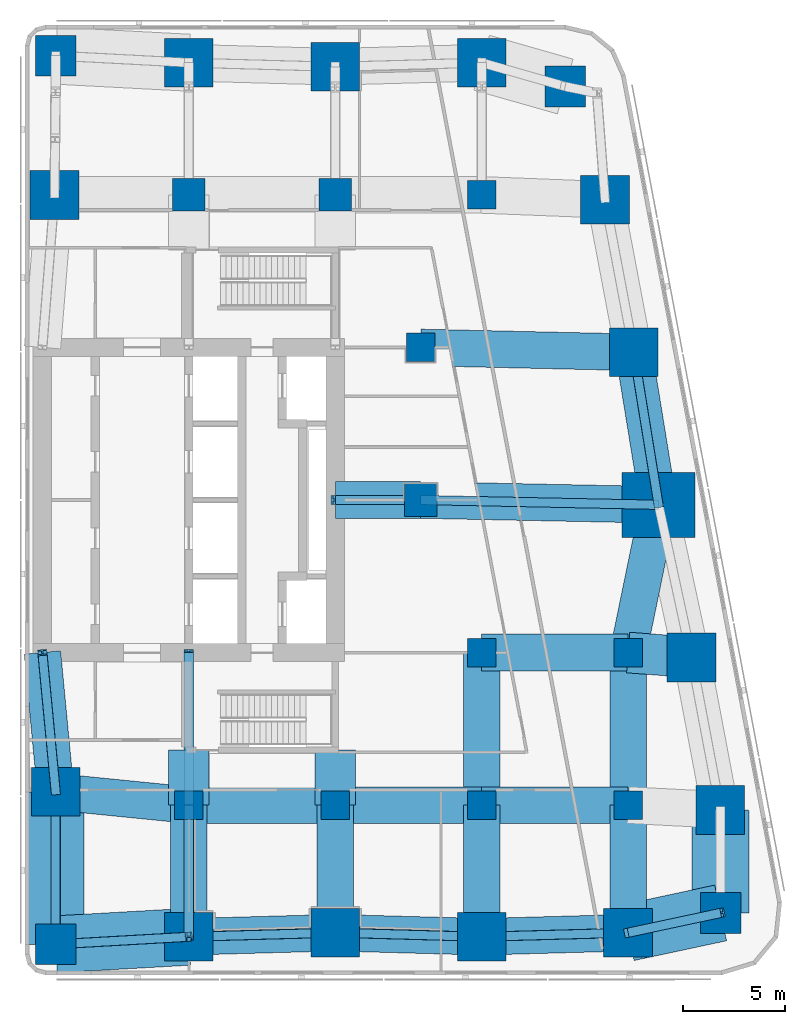
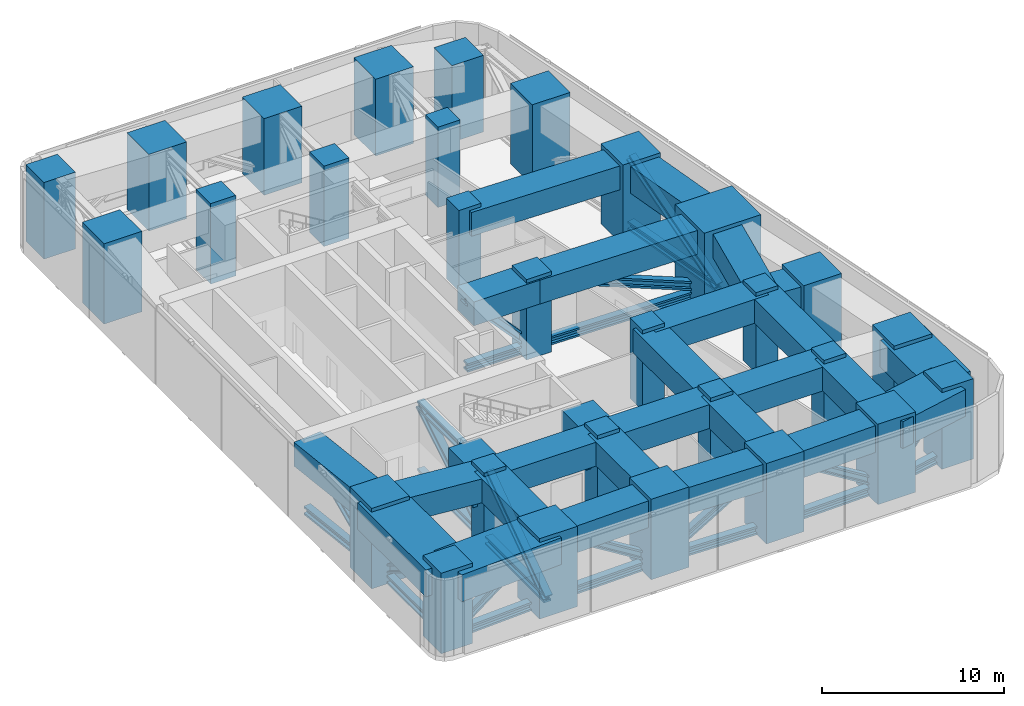
# One storey, part 1 of 9: 29 columns, 27 beams, 25 members.
"""IFC4 building model written with IfcOpenShell, lengths in metres."""

from ifc_helpers import new_model, si_unit, direction, frame, origin, origin_2d, place, context, subcontext, project, spatial, rectangle, i_section, extrude, material, material_profile, profile_set, type_object, element, save


model = new_model("IFC4")

# Units and contexts
model_context = context("Model", 3, precision=1e-05, world=origin(), true_north=direction((0.0, 1.0)))
body_context = subcontext(model_context, "Body", "Model", "MODEL_VIEW")
ifc_project = project(units=[si_unit("LENGTHUNIT", "METRE"), si_unit("AREAUNIT", "SQUARE_METRE"), si_unit("VOLUMEUNIT", "CUBIC_METRE"), si_unit("PLANEANGLEUNIT", "RADIAN"), si_unit("MASSUNIT", "GRAM", prefix="KILO")], contexts=[model_context])

# Site, building, storey
site_placement = place(None, origin())
site = spatial("IfcSite", under=ifc_project, at=site_placement, CompositionType="ELEMENT")
building_placement = place(site_placement, origin())
building = spatial("IfcBuilding", under=site, at=building_placement, Name="Sheger Commons Tower", CompositionType="ELEMENT")
storey_placement = place(building_placement, frame((0.0, 0.0, 246.199951171875)))
storey = spatial("IfcBuildingStorey", under=building, at=storey_placement, Name="L63", CompositionType="ELEMENT", Elevation=246.199951171875)

# Columns
ifc_material_1 = material(Name="Concrete C50/60", Category="concrete")
ifc_material_profile_1 = material_profile(ifc_material_1, rectangle(XDim=3.60009765625, YDim=3.199951171875, at=origin_2d()), Name="RC 3600x3200")
ifc_profile_set_1 = profile_set([ifc_material_profile_1], Name="Concrete C50/60")
column_type_1 = type_object("IfcColumnType", Name="COLUMN PIER RC 3600x3200", PredefinedType="COLUMN", material=ifc_profile_set_1)
column_placement = place(storey_placement, frame((44.697021484375, 22.262939453125, 0.0), z_axis=(0.0, 0.0, 1.0), x_axis=(1.0, 0.0, 0.0)))
element("IfcColumn", 1, at=column_placement, inside=storey, type_object=column_type_1, Name="Pier 7/D+E/D L63", PredefinedType="COLUMN", context=body_context, shape_type="SweptSolid", body=[
    extrude(rectangle(XDim=3.60009765625, YDim=3.199951171875, at=origin_2d()), origin(), (0.0, 0.0, 1.0), 5.400146484375),
])
ifc_material_2 = material(Name="Concrete C50/60", Category="concrete")
ifc_material_profile_2 = material_profile(ifc_material_2, rectangle(XDim=1.39990234375, YDim=1.39990234375, at=origin_2d()), Name="RC 1400x1400")
ifc_profile_set_2 = profile_set([ifc_material_profile_2], Name="Concrete C50/60")
column_type_2 = type_object("IfcColumnType", Name="COLUMN RC 1400x1400", PredefinedType="COLUMN", material=ifc_profile_set_2)
for number, where, z_axis, x_axis, name in (
    (2, (21.60009765625, 7.5, 0.0), (0.0, 0.0, 1.0), (1.0, 0.0, 0.0), "Column 4/B L63"),
    (3, (28.800048828125, 7.5, 0.0), (0.0, 0.0, 1.0), (1.0, 0.0, 0.0), "Column 5/B L63"),
    (4, (36.0, 7.5, 0.0), (0.0, 0.0, 1.0), (1.0, 0.0, 0.0), "Column 6/B L63"),
    (5, (43.199951171875, 7.5, 0.0), (0.0, 0.0, 1.0), (1.0, 0.0, 0.0), "Column 7/B L63"),
    (6, (36.0, 15.0, 0.0), (0.0, 0.0, 1.0), (1.0, 0.0, 0.0), "Column 6/C L63"),
    (7, (43.199951171875, 15.0, 0.0), (0.0, 0.0, 1.0), (1.0, 0.0, 0.0), "Column 7/C L63"),
    (8, (33.0, 30.0, 0.0), (0.0, 0.0, 1.0), (1.0, 0.0, 0.0), "Column 6-3000/E L63"),
    (9, (36.0, 37.5, 0.0), (0.0, 0.0, 1.0), (1.0, 0.0, 0.0), "Column 6/F L63"),
):
    element("IfcColumn", number, at=place(storey_placement, frame(where, z_axis=z_axis, x_axis=x_axis)), inside=storey, type_object=column_type_2, Name=name, PredefinedType="COLUMN", context=body_context, shape_type="SweptSolid", body=[
        extrude(rectangle(XDim=1.39990234375, YDim=1.39990234375, at=origin_2d()), origin(), (0.0, 0.0, 1.0), 5.400146484375),
    ])
ifc_material_3 = material(Name="Concrete C50/60", Category="concrete")
ifc_material_profile_3 = material_profile(ifc_material_3, rectangle(XDim=1.60009765625, YDim=1.60009765625, at=origin_2d()), Name="RC 1600x1600")
ifc_profile_set_3 = profile_set([ifc_material_profile_3], Name="Concrete C50/60")
column_type_3 = type_object("IfcColumnType", Name="COLUMN RC 1600x1600", PredefinedType="COLUMN", material=ifc_profile_set_3)
for number, where, z_axis, x_axis, name in (
    (10, (33.0, 22.5, 0.0), (0.0, 0.0, 1.0), (1.0, 0.0, 0.0), "Column 6-3000/D L63"),
    (11, (21.60009765625, 37.5, 0.0), (0.0, 0.0, 1.0), (1.0, 0.0, 0.0), "Column 4/F L63"),
    (12, (28.800048828125, 37.5, 0.0), (0.0, 0.0, 1.0), (1.0, 0.0, 0.0), "Column 5/F L63"),
):
    element("IfcColumn", number, at=place(storey_placement, frame(where, z_axis=z_axis, x_axis=x_axis)), inside=storey, type_object=column_type_3, Name=name, PredefinedType="COLUMN", context=body_context, shape_type="SweptSolid", body=[
        extrude(rectangle(XDim=1.60009765625, YDim=1.60009765625, at=origin_2d()), origin(), (0.0, 0.0, 1.0), 5.400146484375),
    ])
ifc_material_4 = material(Name="Concrete C50/60", Category="concrete")
ifc_material_profile_4 = material_profile(ifc_material_4, rectangle(XDim=2.0, YDim=2.0, at=origin_2d()), Name="RC 2000x2000")
ifc_profile_set_4 = profile_set([ifc_material_profile_4], Name="Concrete C50/60")
column_type_4 = type_object("IfcColumnType", Name="COLUMN RC 2000x2000", PredefinedType="COLUMN", material=ifc_profile_set_4)
for number, where, z_axis, x_axis, name in (
    (13, (15.053955078125, 0.654052734375, 0.0), (0.0, 0.0, 1.0), (1.0, 0.0, 0.0), "Column 3/A L63"),
    (14, (47.748046875, 2.197021484375, 0.0), (0.0, 0.0, 1.0), (1.0, 0.0, 0.0), "Column 49.461,0.778 L63"),
):
    element("IfcColumn", number, at=place(storey_placement, frame(where, z_axis=z_axis, x_axis=x_axis)), inside=storey, type_object=column_type_4, Name=name, PredefinedType="COLUMN", context=body_context, shape_type="SweptSolid", body=[
        extrude(rectangle(XDim=2.0, YDim=2.0, at=origin_2d()), origin(), (0.0, 0.0, 1.0), 5.400146484375),
    ])
for number, where, z_axis, x_axis, name in (
    (15, (40.10205078125, 42.830078125, 0.0), (0.0, 0.0, 1.0), (1.0, 0.0, 0.0), "Column 41.490,44.505 L63"),
    (16, (15.053955078125, 44.345947265625, 0.0), (0.0, 0.0, 1.0), (1.0, 0.0, 0.0), "Column 3/G L63"),
):
    element("IfcColumn", number, at=place(storey_placement, frame(where, z_axis=z_axis, x_axis=x_axis)), inside=storey, type_object=column_type_4, Name=name, PredefinedType="COLUMN", context=body_context, shape_type="SweptSolid", body=[
        extrude(rectangle(XDim=2.0, YDim=2.0, at=origin_2d()), origin(), (0.0, 0.0, 1.0), 5.150146484375),
    ])
ifc_material_5 = material(Name="Concrete C50/60", Category="concrete")
ifc_material_profile_5 = material_profile(ifc_material_5, rectangle(XDim=2.39990234375, YDim=2.39990234375, at=origin_2d()), Name="RC 2400x2400")
ifc_profile_set_5 = profile_set([ifc_material_profile_5], Name="Concrete C50/60")
column_type_5 = type_object("IfcColumnType", Name="COLUMN RC 2400x2400", PredefinedType="COLUMN", material=ifc_profile_set_5)
for number, where, z_axis, x_axis, name in (
    (17, (21.60009765625, 1.02490234375, 0.0), (0.0, 0.0, 1.0), (1.0, 0.0, 0.0), "Column 4/A L63"),
    (18, (28.800048828125, 1.22509765625, 0.0), (0.0, 0.0, 1.0), (1.0, 0.0, 0.0), "Column 5/A L63"),
    (19, (36.0, 1.02490234375, 0.0), (0.0, 0.0, 1.0), (1.0, 0.0, 0.0), "Column 6/A L63"),
    (20, (43.199951171875, 1.22509765625, 0.0), (0.0, 0.0, 1.0), (1.0, 0.0, 0.0), "Column 7/A L63"),
    (21, (15.053955078125, 8.154052734375, 0.0), (0.0, 0.0, 1.0), (1.0, 0.0, 0.0), "Column 3/B L63"),
    (22, (47.72998046875, 7.262939453125, 0.0), (0.0, 0.0, 1.0), (1.0, 0.0, 0.0), "Column E/B L63"),
    (23, (46.31396484375, 14.762939453125, 0.0), (0.0, 0.0, 1.0), (1.0, 0.0, 0.0), "Column E/C L63"),
    (24, (43.47998046875, 29.762939453125, 0.0), (0.0, 0.0, 1.0), (1.0, 0.0, 0.0), "Column E/E L63"),
    (25, (15.0, 37.5, 0.0), (0.0, 0.0, 1.0), (1.0, 0.0, 0.0), "Column 3/F L63"),
    (26, (42.06396484375, 37.262939453125, 0.0), (0.0, 0.0, 1.0), (1.0, 0.0, 0.0), "Column E/F L63"),
):
    element("IfcColumn", number, at=place(storey_placement, frame(where, z_axis=z_axis, x_axis=x_axis)), inside=storey, type_object=column_type_5, Name=name, PredefinedType="COLUMN", context=body_context, shape_type="SweptSolid", body=[
        extrude(rectangle(XDim=2.39990234375, YDim=2.39990234375, at=origin_2d()), origin(), (0.0, 0.0, 1.0), 5.400146484375),
    ])
for number, where, z_axis, x_axis, name in (
    (27, (21.60009765625, 44.0, 0.0), (0.0, 0.0, 1.0), (1.0, 0.0, 0.0), "Column 4/G L63"),
    (28, (28.800048828125, 43.800048828125, 0.0), (0.0, 0.0, 1.0), (1.0, 0.0, 0.0), "Column 5/G L63"),
    (29, (36.0, 44.0, 0.0), (0.0, 0.0, 1.0), (1.0, 0.0, 0.0), "Column 6/G L63"),
):
    element("IfcColumn", number, at=place(storey_placement, frame(where, z_axis=z_axis, x_axis=x_axis)), inside=storey, type_object=column_type_5, Name=name, PredefinedType="COLUMN", context=body_context, shape_type="SweptSolid", body=[
        extrude(rectangle(XDim=2.39990234375, YDim=2.39990234375, at=origin_2d()), origin(), (0.0, 0.0, 1.0), 5.150146484375),
    ])

# Beams
ifc_material_6 = material(Name="Concrete C50/60", Category="concrete")
ifc_material_profile_6 = material_profile(ifc_material_6, rectangle(XDim=1.800048828125, YDim=1.60009765625, at=origin_2d()), Name="RC 1800x1600")
ifc_profile_set_6 = profile_set([ifc_material_profile_6], Name="Concrete C50/60")
beam_type_1 = type_object("IfcBeamType", Name="BEAM RC 1800x1600", PredefinedType="BEAM", material=ifc_profile_set_6)
beam_1_placement = place(storey_placement, frame((15.053955078125, 8.154052734375, 4.35009765625), z_axis=(0.995045637543, -0.09941920945, 0.0), x_axis=(0.09941920945, 0.995045637543, 0.0)))
element("IfcBeam", 30, at=beam_1_placement, inside=storey, type_object=beam_type_1, Name="Beam 3/B-4/B under L64", PredefinedType="BEAM", context=body_context, shape_type="SweptSolid", body=[
    extrude(rectangle(XDim=1.800048828125, YDim=1.60009765625, at=origin_2d()), origin(), (0.0, 0.0, 1.0), 6.578857421875),
])
for number, where, z_axis, x_axis, name in (
    (31, (21.60009765625, 7.5, 4.35009765625), (1.0, 0.0, 0.0), (0.0, 1.0, 0.0), "Beam 4/B-5/B under L64"),
    (32, (28.800048828125, 7.5, 4.35009765625), (1.0, 0.0, 0.0), (0.0, 1.0, 0.0), "Beam 5/B-6/B under L64"),
    (33, (36.0, 7.5, 4.35009765625), (1.0, 0.0, 0.0), (0.0, 1.0, 0.0), "Beam 6/B-7/B under L64"),
    (34, (36.0, 15.0, 4.35009765625), (1.0, 0.0, 0.0), (0.0, 1.0, 0.0), "Beam 6/C-7/C under L64"),
):
    element("IfcBeam", number, at=place(storey_placement, frame(where, z_axis=z_axis, x_axis=x_axis)), inside=storey, type_object=beam_type_1, Name=name, PredefinedType="BEAM", context=body_context, shape_type="SweptSolid", body=[
        extrude(rectangle(XDim=1.800048828125, YDim=1.60009765625, at=origin_2d()), origin(), (0.0, 0.0, 1.0), 7.199951171875),
    ])
beam_2_placement = place(storey_placement, frame((28.800048828125, 22.5, 4.35009765625), z_axis=(1.0, 0.0, 0.0), x_axis=(0.0, 1.0, 0.0)))
element("IfcBeam", 35, at=beam_2_placement, inside=storey, type_object=beam_type_1, Name="Beam 5/D-6-3000/D under L64", PredefinedType="BEAM", context=body_context, shape_type="SweptSolid", body=[
    extrude(rectangle(XDim=1.800048828125, YDim=1.60009765625, at=origin_2d()), origin(), (0.0, 0.0, 1.0), 4.199951171875),
])
beam_3_placement = place(storey_placement, frame((33.0, 22.5, 4.35009765625), z_axis=(0.999794692776, -0.02026258368, 0.0), x_axis=(0.02026258368, 0.999794692776, 0.0)))
element("IfcBeam", 36, at=beam_3_placement, inside=storey, type_object=beam_type_1, Name="Beam 6-3000/D-7/D under L64", PredefinedType="BEAM", context=body_context, shape_type="SweptSolid", body=[
    extrude(rectangle(XDim=1.800048828125, YDim=1.60009765625, at=origin_2d()), origin(), (0.0, 0.0, 1.0), 11.699462890625),
])
beam_4_placement = place(storey_placement, frame((33.0, 30.0, 4.35009765625), z_axis=(0.999744258625, -0.022614538395, 0.0), x_axis=(0.022614538395, 0.999744258625, 0.0)))
element("IfcBeam", 37, at=beam_4_placement, inside=storey, type_object=beam_type_1, Name="Beam 6-3000/E-E/E under L64", PredefinedType="BEAM", context=body_context, shape_type="SweptSolid", body=[
    extrude(rectangle(XDim=1.800048828125, YDim=1.60009765625, at=origin_2d()), origin(), (0.0, 0.0, 1.0), 10.482666015625),
])
beam_5_placement = place(storey_placement, frame((15.053955078125, 8.154052734375, 4.35009765625), z_axis=(-0.095105616623, 0.99546718765, 0.0), x_axis=(-0.99546718765, -0.095105616623, 0.0)))
element("IfcBeam", 38, at=beam_5_placement, inside=storey, type_object=beam_type_1, Name="Beam 3/B-3/C under L64", PredefinedType="BEAM", context=body_context, shape_type="SweptSolid", body=[
    extrude(rectangle(XDim=1.800048828125, YDim=1.60009765625, at=origin_2d()), origin(), (0.0, 0.0, 1.0), 6.877197265625),
])
beam_6_placement = place(storey_placement, frame((21.60009765625, 1.02490234375, 4.35009765625), z_axis=(0.0, 1.0, 0.0), x_axis=(-1.0, 0.0, 0.0)))
element("IfcBeam", 39, at=beam_6_placement, inside=storey, type_object=beam_type_1, Name="Beam 4/A-4/B under L64", PredefinedType="BEAM", context=body_context, shape_type="SweptSolid", body=[
    extrude(rectangle(XDim=1.800048828125, YDim=1.60009765625, at=origin_2d()), origin(), (0.0, 0.0, 1.0), 6.47509765625),
])
beam_7_placement = place(storey_placement, frame((28.800048828125, 1.22509765625, 4.35009765625), z_axis=(0.0, 1.0, 0.0), x_axis=(-1.0, 0.0, 0.0)))
element("IfcBeam", 40, at=beam_7_placement, inside=storey, type_object=beam_type_1, Name="Beam 5/A-5/B under L64", PredefinedType="BEAM", context=body_context, shape_type="SweptSolid", body=[
    extrude(rectangle(XDim=1.800048828125, YDim=1.60009765625, at=origin_2d()), origin(), (0.0, 0.0, 1.0), 6.27490234375),
])
beam_8_placement = place(storey_placement, frame((36.0, 1.02490234375, 4.35009765625), z_axis=(0.0, 1.0, 0.0), x_axis=(-1.0, 0.0, 0.0)))
element("IfcBeam", 41, at=beam_8_placement, inside=storey, type_object=beam_type_1, Name="Beam 6/A-6/B under L64", PredefinedType="BEAM", context=body_context, shape_type="SweptSolid", body=[
    extrude(rectangle(XDim=1.800048828125, YDim=1.60009765625, at=origin_2d()), origin(), (0.0, 0.0, 1.0), 6.47509765625),
])
beam_9_placement = place(storey_placement, frame((36.0, 7.5, 4.35009765625), z_axis=(0.0, 1.0, 0.0), x_axis=(-1.0, 0.0, 0.0)))
element("IfcBeam", 42, at=beam_9_placement, inside=storey, type_object=beam_type_1, Name="Beam 6/B-6/C under L64", PredefinedType="BEAM", context=body_context, shape_type="SweptSolid", body=[
    extrude(rectangle(XDim=1.800048828125, YDim=1.60009765625, at=origin_2d()), origin(), (0.0, 0.0, 1.0), 7.5),
])
beam_10_placement = place(storey_placement, frame((43.199951171875, 1.22509765625, 4.35009765625), z_axis=(0.0, 1.0, 0.0), x_axis=(-1.0, 0.0, 0.0)))
element("IfcBeam", 43, at=beam_10_placement, inside=storey, type_object=beam_type_1, Name="Beam 7/A-7/B under L64", PredefinedType="BEAM", context=body_context, shape_type="SweptSolid", body=[
    extrude(rectangle(XDim=1.800048828125, YDim=1.60009765625, at=origin_2d()), origin(), (0.0, 0.0, 1.0), 6.27490234375),
])
beam_11_placement = place(storey_placement, frame((43.199951171875, 7.5, 4.35009765625), z_axis=(0.0, 1.0, 0.0), x_axis=(-1.0, 0.0, 0.0)))
element("IfcBeam", 44, at=beam_11_placement, inside=storey, type_object=beam_type_1, Name="Beam 7/B-7/C under L64", PredefinedType="BEAM", context=body_context, shape_type="SweptSolid", body=[
    extrude(rectangle(XDim=1.800048828125, YDim=1.60009765625, at=origin_2d()), origin(), (0.0, 0.0, 1.0), 7.5),
])
beam_12_placement = place(storey_placement, frame((43.199951171875, 15.0, 4.35009765625), z_axis=(0.201880503661, 0.979410160373, 0.0), x_axis=(-0.979410160373, 0.201880503661, 0.0)))
element("IfcBeam", 45, at=beam_12_placement, inside=storey, type_object=beam_type_1, Name="Beam 7/C-7/D under L64", PredefinedType="BEAM", context=body_context, shape_type="SweptSolid", body=[
    extrude(rectangle(XDim=1.800048828125, YDim=1.60009765625, at=origin_2d()), origin(), (0.0, 0.0, 1.0), 7.41552734375),
])
ifc_material_7 = material(Name="Concrete C50/60", Category="concrete")
ifc_material_profile_7 = material_profile(ifc_material_7, rectangle(XDim=2.0, YDim=2.39990234375, at=origin_2d()), Name="RC 2000x2400")
ifc_profile_set_7 = profile_set([ifc_material_profile_7], Name="Concrete C50/60")
beam_type_2 = type_object("IfcBeamType", Name="BEAM RC 2000x2400", PredefinedType="BEAM", material=ifc_profile_set_7)
beam_13_placement = place(storey_placement, frame((43.199951171875, 15.0, 3.949951171875), z_axis=(0.997114873388, -0.075907372956, 0.0), x_axis=(0.075907372956, 0.997114873388, 0.0)))
element("IfcBeam", 46, at=beam_13_placement, inside=storey, type_object=beam_type_2, Name="Beam 7/C-E/C under L64", PredefinedType="BEAM", context=body_context, shape_type="SweptSolid", body=[
    extrude(rectangle(XDim=2.0, YDim=2.39990234375, at=origin_2d()), origin(), (0.0, 0.0, 1.0), 3.123046875),
])
for number, where, z_axis, x_axis, name in (
    (47, (21.60009765625, 7.5, 3.949951171875), (0.0, 1.0, 0.0), (-1.0, 0.0, 0.0), "Beam 4/B-21.600,10.200 under L64"),
    (48, (28.800048828125, 7.5, 3.949951171875), (0.0, 1.0, 0.0), (-1.0, 0.0, 0.0), "Beam 5/B-28.800,10.200 under L64"),
):
    element("IfcBeam", number, at=place(storey_placement, frame(where, z_axis=z_axis, x_axis=x_axis)), inside=storey, type_object=beam_type_2, Name=name, PredefinedType="BEAM", context=body_context, shape_type="SweptSolid", body=[
        extrude(rectangle(XDim=2.0, YDim=2.39990234375, at=origin_2d()), origin(), (0.0, 0.0, 1.0), 2.699951171875),
    ])

# Members
ifc_material_8 = material(Name="Steel S460", Category="steel")
ifc_material_profile_8 = material_profile(ifc_material_8, i_section(OverallWidth=0.4541015625, OverallDepth=0.569091796875, WebThickness=0.077880859375, FlangeThickness=0.125, at=origin_2d()), Name="HD 400x1086")
ifc_profile_set_8 = profile_set([ifc_material_profile_8], Name="Steel S460")
member_type_1 = type_object("IfcMemberType", Name="BRACE HD 400x1086", PredefinedType="BRACE", material=ifc_profile_set_8)
member_1_placement = place(storey_placement, frame((21.60009765625, 15.0, 4.85009765625), z_axis=(0.0, -0.85496560345, -0.518684698942), x_axis=(1.0, 0.0, 0.0)))
element("IfcMember", 49, at=member_1_placement, inside=storey, type_object=member_type_1, Name="Outrigger S diagonal 1", PredefinedType="BRACE", context=body_context, shape_type="SweptSolid", body=[
    extrude(i_section(OverallWidth=0.4541015625, OverallDepth=0.569091796875, WebThickness=0.077880859375, FlangeThickness=0.125, at=origin_2d()), origin(), (0.0, 0.0, 1.0), 8.772216796875),
])
member_2_placement = place(storey_placement, frame((21.60009765625, 7.5, 4.85009765625), z_axis=(0.0, -0.818192873518, -0.574943842235), x_axis=(1.0, 0.0, 0.0)))
element("IfcMember", 50, at=member_2_placement, inside=storey, type_object=member_type_1, Name="Outrigger S diagonal 2", PredefinedType="BRACE", context=body_context, shape_type="SweptSolid", body=[
    extrude(i_section(OverallWidth=0.4541015625, OverallDepth=0.569091796875, WebThickness=0.077880859375, FlangeThickness=0.125, at=origin_2d()), origin(), (0.0, 0.0, 1.0), 7.913818359375),
])
member_3_placement = place(storey_placement, frame((28.800048828125, 22.5, 4.85009765625), z_axis=(0.678271914864, 0.0, -0.734811002576), x_axis=(0.0, 1.0, 0.0)))
element("IfcMember", 51, at=member_3_placement, inside=storey, type_object=member_type_1, Name="Outrigger E diagonal 1", PredefinedType="BRACE", context=body_context, shape_type="SweptSolid", body=[
    extrude(i_section(OverallWidth=0.4541015625, OverallDepth=0.569091796875, WebThickness=0.077880859375, FlangeThickness=0.125, at=origin_2d()), origin(), (0.0, 0.0, 1.0), 6.192138671875),
])
member_4_placement = place(storey_placement, frame((33.0, 22.5, 4.85009765625), z_axis=(0.931805978146, -0.018884673766, -0.362465154447), x_axis=(0.02026258368, 0.999794692776, 0.0)))
element("IfcMember", 52, at=member_4_placement, inside=storey, type_object=member_type_1, Name="Outrigger E diagonal 2", PredefinedType="BRACE", context=body_context, shape_type="SweptSolid", body=[
    extrude(i_section(OverallWidth=0.4541015625, OverallDepth=0.569091796875, WebThickness=0.077880859375, FlangeThickness=0.125, at=origin_2d()), origin(), (0.0, 0.0, 1.0), 12.552978515625),
])
ifc_material_9 = material(Name="Steel S460", Category="steel")
ifc_material_profile_9 = material_profile(ifc_material_9, i_section(OverallWidth=0.44189453125, OverallDepth=0.531005859375, WebThickness=0.06591796875, FlangeThickness=0.10595703125, at=origin_2d()), Name="HD 400x900")
ifc_profile_set_9 = profile_set([ifc_material_profile_9], Name="Steel S460")
member_type_2 = type_object("IfcMemberType", Name="BRACE HD 400x900", PredefinedType="BRACE", material=ifc_profile_set_9)
member_5_placement = place(storey_placement, frame((15.053955078125, 0.654052734375, 0.300048828125), z_axis=(0.820240975573, 0.046467983512, 0.570127589667), x_axis=(-0.056560933405, 0.998399149044, 0.0)))
element("IfcMember", 53, at=member_5_placement, inside=storey, type_object=member_type_2, Name="Belt truss diagonal 15.054,0.654-21.600,1.025", PredefinedType="BRACE", context=body_context, shape_type="SweptSolid", body=[
    extrude(i_section(OverallWidth=0.44189453125, OverallDepth=0.531005859375, WebThickness=0.06591796875, FlangeThickness=0.10595703125, at=origin_2d()), origin(), (0.0, 0.0, 1.0), 7.980712890625),
])
for number, where, z_axis, x_axis, name in (
    (54, (28.800048828125, 1.22509765625, 0.300048828125), (-0.845111730935, -0.023498410341, 0.534073016494), (0.027794350926, -0.9996136624, 0.0), "Belt truss diagonal 21.600,1.025-28.800,1.225"),
    (55, (28.800048828125, 1.22509765625, 0.300048828125), (0.845111730935, -0.023498410341, 0.534073016494), (0.027794350926, 0.9996136624, 0.0), "Belt truss diagonal 28.800,1.225-36.000,1.025"),
    (56, (43.199951171875, 1.22509765625, 0.300048828125), (-0.845111730935, -0.023498410341, 0.534073016494), (0.027794350926, -0.9996136624, 0.0), "Belt truss diagonal 36.000,1.025-43.200,1.225"),
):
    element("IfcMember", number, at=place(storey_placement, frame(where, z_axis=z_axis, x_axis=x_axis)), inside=storey, type_object=member_type_2, Name=name, PredefinedType="BRACE", context=body_context, shape_type="SweptSolid", body=[
        extrude(i_section(OverallWidth=0.44189453125, OverallDepth=0.531005859375, WebThickness=0.06591796875, FlangeThickness=0.10595703125, at=origin_2d()), origin(), (0.0, 0.0, 1.0), 8.51953125),
    ])
member_6_placement = place(storey_placement, frame((43.199951171875, 1.22509765625, 0.300048828125), z_axis=(0.699022780536, 0.149380519046, 0.699322967462), x_axis=(-0.208980552394, 0.977919796671, 0.0)))
element("IfcMember", 57, at=member_6_placement, inside=storey, type_object=member_type_2, Name="Belt truss diagonal 43.200,1.225-47.748,2.197", PredefinedType="BRACE", context=body_context, shape_type="SweptSolid", body=[
    extrude(i_section(OverallWidth=0.44189453125, OverallDepth=0.531005859375, WebThickness=0.06591796875, FlangeThickness=0.10595703125, at=origin_2d()), origin(), (0.0, 0.0, 1.0), 6.50634765625),
])
member_7_placement = place(storey_placement, frame((44.697021484375, 22.262939453125, 0.300048828125), z_axis=(-0.137420860624, 0.846854330663, 0.51376380731), x_axis=(-0.987088319884, -0.160176929512, 0.0)))
element("IfcMember", 58, at=member_7_placement, inside=storey, type_object=member_type_2, Name="Belt truss diagonal 44.697,22.263-43.480,29.763", PredefinedType="BRACE", context=body_context, shape_type="SweptSolid", body=[
    extrude(i_section(OverallWidth=0.44189453125, OverallDepth=0.531005859375, WebThickness=0.06591796875, FlangeThickness=0.10595703125, at=origin_2d()), origin(), (0.0, 0.0, 1.0), 8.856201171875),
])
member_8_placement = place(storey_placement, frame((15.053955078125, 8.154052734375, 0.300048828125), z_axis=(-0.079316872191, 0.830206947778, 0.551783705493), x_axis=(-0.99546718765, -0.095105616623, 0.0)))
element("IfcMember", 59, at=member_8_placement, inside=storey, type_object=member_type_2, Name="Belt truss diagonal 3/C-15.054,8.154", PredefinedType="BRACE", context=body_context, shape_type="SweptSolid", body=[
    extrude(i_section(OverallWidth=0.44189453125, OverallDepth=0.531005859375, WebThickness=0.06591796875, FlangeThickness=0.10595703125, at=origin_2d()), origin(), (0.0, 0.0, 1.0), 8.24609375),
])
member_9_placement = place(storey_placement, frame((15.053955078125, 8.154052734375, 0.300048828125), z_axis=(0.0, -0.85496560345, 0.518684698942), x_axis=(1.0, 0.0, 0.0)))
element("IfcMember", 60, at=member_9_placement, inside=storey, type_object=member_type_2, Name="Belt truss diagonal 15.054,8.154-15.054,0.654", PredefinedType="BRACE", context=body_context, shape_type="SweptSolid", body=[
    extrude(i_section(OverallWidth=0.44189453125, OverallDepth=0.531005859375, WebThickness=0.06591796875, FlangeThickness=0.10595703125, at=origin_2d()), origin(), (0.0, 0.0, 1.0), 8.772216796875),
])
ifc_material_10 = material(Name="Steel S460", Category="steel")
ifc_material_profile_10 = material_profile(ifc_material_10, i_section(OverallWidth=0.4541015625, OverallDepth=0.569091796875, WebThickness=0.077880859375, FlangeThickness=0.125, at=origin_2d()), Name="HD 400x1086")
ifc_profile_set_10 = profile_set([ifc_material_profile_10], Name="Steel S460")
member_type_3 = type_object("IfcMemberType", Name="CHORD HD 400x1086", PredefinedType="CHORD", material=ifc_profile_set_10)
member_10_placement = place(storey_placement, frame((15.053955078125, 0.654052734375, 0.300048828125), z_axis=(0.998399149044, 0.056560933405, 0.0), x_axis=(-0.056560933405, 0.998399149044, 0.0)))
element("IfcMember", 61, at=member_10_placement, inside=storey, type_object=member_type_3, Name="Belt truss bottom chord 15.054,0.654-21.600,1.025", PredefinedType="CHORD", context=body_context, shape_type="SweptSolid", body=[
    extrude(i_section(OverallWidth=0.4541015625, OverallDepth=0.569091796875, WebThickness=0.077880859375, FlangeThickness=0.125, at=origin_2d()), origin(), (0.0, 0.0, 1.0), 6.556640625),
])
for number, where, z_axis, x_axis, name in (
    (62, (21.60009765625, 1.02490234375, 0.300048828125), (0.9996136624, 0.027794350926, 0.0), (-0.027794350926, 0.9996136624, 0.0), "Belt truss bottom chord 21.600,1.025-28.800,1.225"),
    (63, (28.800048828125, 1.22509765625, 0.300048828125), (0.9996136624, -0.027794350926, 0.0), (0.027794350926, 0.9996136624, 0.0), "Belt truss bottom chord 28.800,1.225-36.000,1.025"),
    (64, (36.0, 1.02490234375, 0.300048828125), (0.9996136624, 0.027794350926, 0.0), (-0.027794350926, 0.9996136624, 0.0), "Belt truss bottom chord 36.000,1.025-43.200,1.225"),
):
    element("IfcMember", number, at=place(storey_placement, frame(where, z_axis=z_axis, x_axis=x_axis)), inside=storey, type_object=member_type_3, Name=name, PredefinedType="CHORD", context=body_context, shape_type="SweptSolid", body=[
        extrude(i_section(OverallWidth=0.4541015625, OverallDepth=0.569091796875, WebThickness=0.077880859375, FlangeThickness=0.125, at=origin_2d()), origin(), (0.0, 0.0, 1.0), 7.20263671875),
    ])
member_11_placement = place(storey_placement, frame((43.199951171875, 1.22509765625, 0.300048828125), z_axis=(0.977919796671, 0.208980552394, 0.0), x_axis=(-0.208980552394, 0.977919796671, 0.0)))
element("IfcMember", 65, at=member_11_placement, inside=storey, type_object=member_type_3, Name="Belt truss bottom chord 43.200,1.225-47.748,2.197", PredefinedType="CHORD", context=body_context, shape_type="SweptSolid", body=[
    extrude(i_section(OverallWidth=0.4541015625, OverallDepth=0.569091796875, WebThickness=0.077880859375, FlangeThickness=0.125, at=origin_2d()), origin(), (0.0, 0.0, 1.0), 4.65087890625),
])
member_12_placement = place(storey_placement, frame((44.697021484375, 22.262939453125, 0.300048828125), z_axis=(-0.160176929512, 0.987088319884, 0.0), x_axis=(-0.987088319884, -0.160176929512, 0.0)))
element("IfcMember", 66, at=member_12_placement, inside=storey, type_object=member_type_3, Name="Belt truss bottom chord 44.697,22.263-43.480,29.763", PredefinedType="CHORD", context=body_context, shape_type="SweptSolid", body=[
    extrude(i_section(OverallWidth=0.4541015625, OverallDepth=0.569091796875, WebThickness=0.077880859375, FlangeThickness=0.125, at=origin_2d()), origin(), (0.0, 0.0, 1.0), 7.59814453125),
])
member_13_placement = place(storey_placement, frame((14.39990234375, 15.0, 0.300048828125), z_axis=(0.095105616623, -0.99546718765, 0.0), x_axis=(0.99546718765, 0.095105616623, 0.0)))
element("IfcMember", 67, at=member_13_placement, inside=storey, type_object=member_type_3, Name="Belt truss bottom chord 3/C-15.054,8.154", PredefinedType="CHORD", context=body_context, shape_type="SweptSolid", body=[
    extrude(i_section(OverallWidth=0.4541015625, OverallDepth=0.569091796875, WebThickness=0.077880859375, FlangeThickness=0.125, at=origin_2d()), origin(), (0.0, 0.0, 1.0), 6.877197265625),
])
for number, where, z_axis, x_axis, name in (
    (68, (15.053955078125, 8.154052734375, 0.300048828125), (0.0, -1.0, 0.0), (1.0, 0.0, 0.0), "Belt truss bottom chord 15.054,8.154-15.054,0.654"),
    (69, (21.60009765625, 15.0, 0.300048828125), (0.0, -1.0, 0.0), (1.0, 0.0, 0.0), "Outrigger S bottom chord 4/C-4/B"),
    (70, (21.60009765625, 15.0, 4.85009765625), (0.0, -1.0, 0.0), (1.0, 0.0, 0.0), "Outrigger S top chord 4/C-4/B"),
):
    element("IfcMember", number, at=place(storey_placement, frame(where, z_axis=z_axis, x_axis=x_axis)), inside=storey, type_object=member_type_3, Name=name, PredefinedType="CHORD", context=body_context, shape_type="SweptSolid", body=[
        extrude(i_section(OverallWidth=0.4541015625, OverallDepth=0.569091796875, WebThickness=0.077880859375, FlangeThickness=0.125, at=origin_2d()), origin(), (0.0, 0.0, 1.0), 7.5),
    ])
member_14_placement = place(storey_placement, frame((21.60009765625, 7.5, 0.300048828125), z_axis=(0.0, -1.0, 0.0), x_axis=(1.0, 0.0, 0.0)))
element("IfcMember", 71, at=member_14_placement, inside=storey, type_object=member_type_3, Name="Outrigger S bottom chord 4/B-21.600,1.025", PredefinedType="CHORD", context=body_context, shape_type="SweptSolid", body=[
    extrude(i_section(OverallWidth=0.4541015625, OverallDepth=0.569091796875, WebThickness=0.077880859375, FlangeThickness=0.125, at=origin_2d()), origin(), (0.0, 0.0, 1.0), 6.47509765625),
])
member_15_placement = place(storey_placement, frame((28.800048828125, 22.5, 0.300048828125), z_axis=(1.0, 0.0, 0.0), x_axis=(0.0, 1.0, 0.0)))
element("IfcMember", 72, at=member_15_placement, inside=storey, type_object=member_type_3, Name="Outrigger E bottom chord 5/D-6-3000/D", PredefinedType="CHORD", context=body_context, shape_type="SweptSolid", body=[
    extrude(i_section(OverallWidth=0.4541015625, OverallDepth=0.569091796875, WebThickness=0.077880859375, FlangeThickness=0.125, at=origin_2d()), origin(), (0.0, 0.0, 1.0), 4.199951171875),
])
member_16_placement = place(storey_placement, frame((33.0, 22.5, 0.300048828125), z_axis=(0.999794692776, -0.02026258368, 0.0), x_axis=(0.02026258368, 0.999794692776, 0.0)))
element("IfcMember", 73, at=member_16_placement, inside=storey, type_object=member_type_3, Name="Outrigger E bottom chord 6-3000/D-44.697,22.263", PredefinedType="CHORD", context=body_context, shape_type="SweptSolid", body=[
    extrude(i_section(OverallWidth=0.4541015625, OverallDepth=0.569091796875, WebThickness=0.077880859375, FlangeThickness=0.125, at=origin_2d()), origin(), (0.0, 0.0, 1.0), 11.699462890625),
])

# Beams
ifc_material_11 = material(Name="Concrete C50/60", Category="concrete")
ifc_material_profile_11 = material_profile(ifc_material_11, rectangle(XDim=1.800048828125, YDim=1.800048828125, at=origin_2d()), Name="RC 1800x1800")
ifc_profile_set_11 = profile_set([ifc_material_profile_11], Name="Concrete C50/60")
beam_type_3 = type_object("IfcBeamType", Name="SPANDREL RC 1800x1800", PredefinedType="SPANDREL", material=ifc_profile_set_11)
for number, where, z_axis, x_axis, name in (
    (74, (21.60009765625, 1.02490234375, 4.25), (0.9996136624, 0.027794350926, 0.0), (-0.027794350926, 0.9996136624, 0.0), "Beam 4/A-5/A under L64"),
    (75, (28.800048828125, 1.22509765625, 4.25), (0.9996136624, -0.027794350926, 0.0), (0.027794350926, 0.9996136624, 0.0), "Beam 5/A-6/A under L64"),
    (76, (36.0, 1.02490234375, 4.25), (0.9996136624, 0.027794350926, 0.0), (-0.027794350926, 0.9996136624, 0.0), "Beam 6/A-7/A under L64"),
):
    element("IfcBeam", number, at=place(storey_placement, frame(where, z_axis=z_axis, x_axis=x_axis)), inside=storey, type_object=beam_type_3, Name=name, PredefinedType="SPANDREL", context=body_context, shape_type="SweptSolid", body=[
        extrude(rectangle(XDim=1.800048828125, YDim=1.800048828125, at=origin_2d()), origin(), (0.0, 0.0, 1.0), 7.20263671875),
    ])
beam_14_placement = place(storey_placement, frame((44.697021484375, 22.262939453125, 4.25), z_axis=(-0.160176929512, 0.987088319884, 0.0), x_axis=(-0.987088319884, -0.160176929512, 0.0)))
element("IfcBeam", 77, at=beam_14_placement, inside=storey, type_object=beam_type_3, Name="Beam E/D-E/E under L64", PredefinedType="SPANDREL", context=body_context, shape_type="SweptSolid", body=[
    extrude(rectangle(XDim=1.800048828125, YDim=1.800048828125, at=origin_2d()), origin(), (0.0, 0.0, 1.0), 7.59814453125),
])
ifc_material_12 = material(Name="Concrete C50/60", Category="concrete")
ifc_material_profile_12 = material_profile(ifc_material_12, rectangle(XDim=2.800048828125, YDim=1.800048828125, at=origin_2d()), Name="RC 2800x1800")
ifc_profile_set_12 = profile_set([ifc_material_profile_12], Name="Concrete C50/60")
beam_type_4 = type_object("IfcBeamType", Name="SPANDREL RC 2800x1800", PredefinedType="SPANDREL", material=ifc_profile_set_12)
beam_15_placement = place(storey_placement, frame((15.053955078125, 0.654052734375, 4.25), z_axis=(0.998399149044, 0.056560933405, 0.0), x_axis=(-0.056560933405, 0.998399149044, 0.0)))
element("IfcBeam", 78, at=beam_15_placement, inside=storey, type_object=beam_type_4, Name="Beam 3/A-4/A under L64", PredefinedType="SPANDREL", context=body_context, shape_type="SweptSolid", body=[
    extrude(rectangle(XDim=2.800048828125, YDim=1.800048828125, at=origin_2d()), origin(), (0.0, 0.0, 1.0), 6.556640625),
])
beam_16_placement = place(storey_placement, frame((43.199951171875, 1.22509765625, 4.25), z_axis=(0.977919796671, 0.208980552394, 0.0), x_axis=(-0.208980552394, 0.977919796671, 0.0)))
element("IfcBeam", 79, at=beam_16_placement, inside=storey, type_object=beam_type_4, Name="Beam 7/A-49.461,0.778 under L64", PredefinedType="SPANDREL", context=body_context, shape_type="SweptSolid", body=[
    extrude(rectangle(XDim=2.800048828125, YDim=1.800048828125, at=origin_2d()), origin(), (0.0, 0.0, 1.0), 4.65087890625),
])
beam_17_placement = place(storey_placement, frame((47.748046875, 2.197021484375, 4.25), z_axis=(-0.003566242382, 0.999993640937, 0.0), x_axis=(-0.999993640937, -0.003566242382, 0.0)))
element("IfcBeam", 80, at=beam_17_placement, inside=storey, type_object=beam_type_4, Name="Beam 49.461,0.778-E/B under L64", PredefinedType="SPANDREL", context=body_context, shape_type="SweptSolid", body=[
    extrude(rectangle(XDim=2.800048828125, YDim=1.800048828125, at=origin_2d()), origin(), (0.0, 0.0, 1.0), 5.06591796875),
])
beam_18_placement = place(storey_placement, frame((15.053955078125, 8.154052734375, 4.25), z_axis=(0.0, -1.0, 0.0), x_axis=(1.0, 0.0, 0.0)))
element("IfcBeam", 81, at=beam_18_placement, inside=storey, type_object=beam_type_4, Name="Beam 3/B-3/A under L64", PredefinedType="SPANDREL", context=body_context, shape_type="SweptSolid", body=[
    extrude(rectangle(XDim=2.800048828125, YDim=1.800048828125, at=origin_2d()), origin(), (0.0, 0.0, 1.0), 7.5),
])

save(model, "model.ifc")
